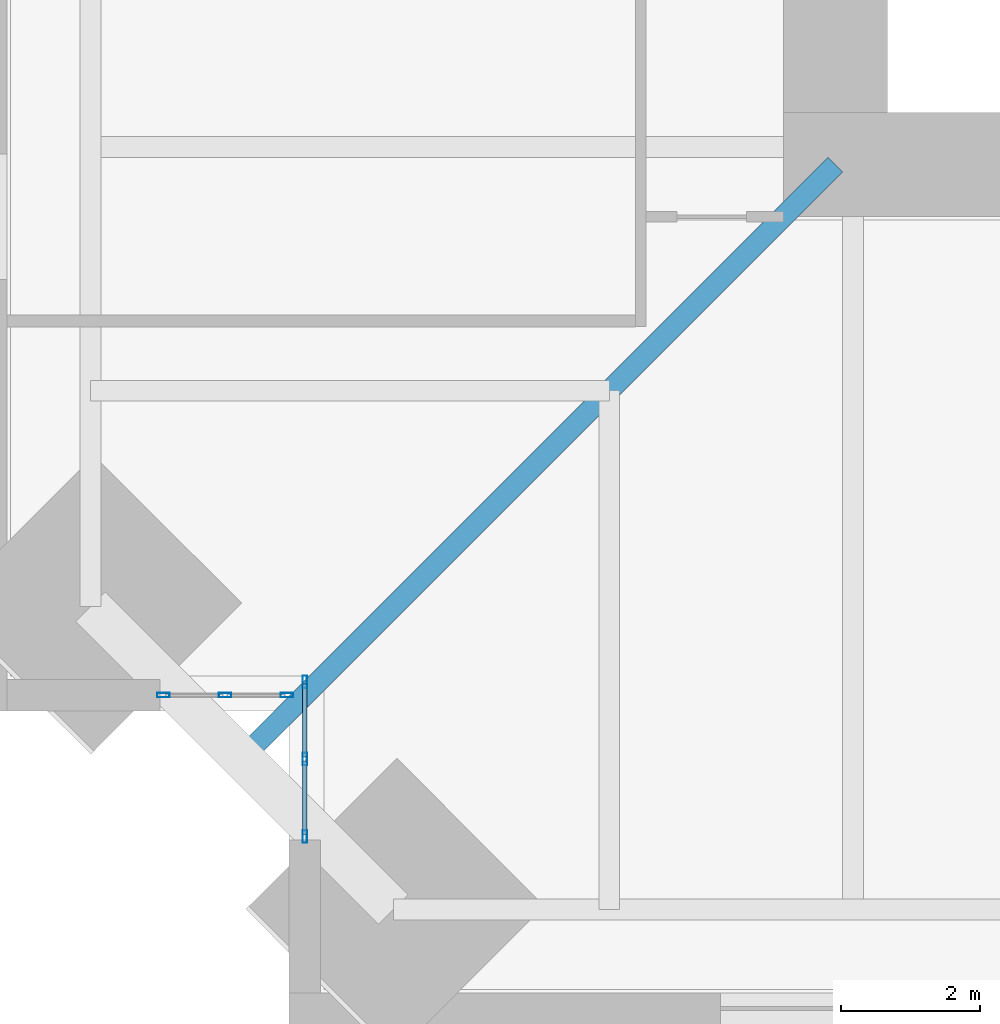
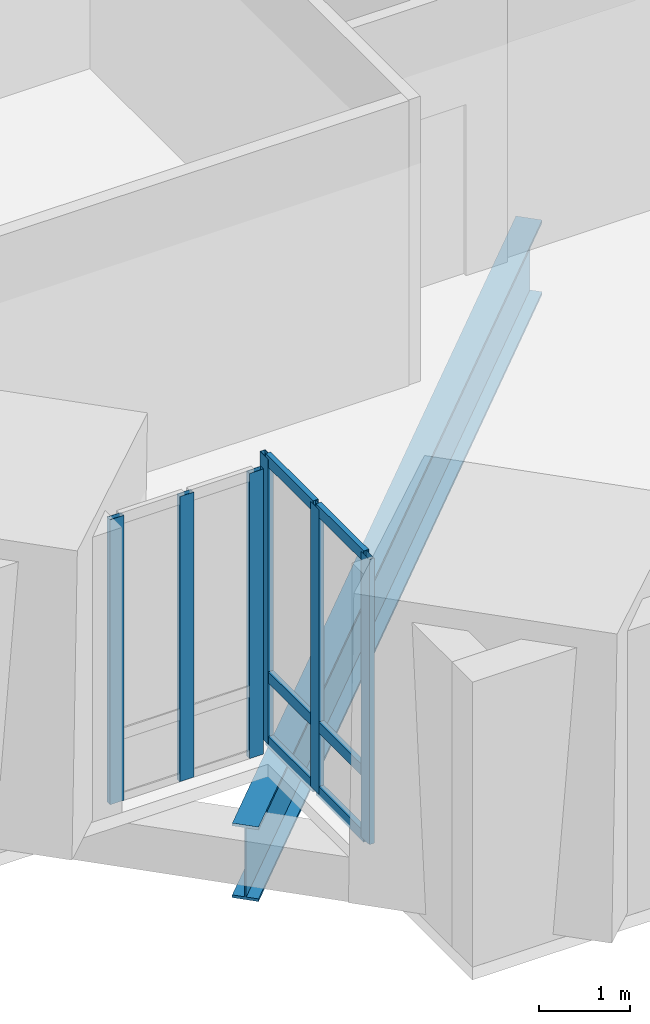
# One storey, part 2 of 14: 12 members, 1 beam, 2 elements without a shape of their own.
"""IFC4 building model written with IfcOpenShell, lengths in metres."""

from ifc_helpers import new_model, si_unit, direction, frame, origin, origin_2d, place, context, subcontext, project, spatial, hollow_rectangle, i_section, extrude, material, material_profile, profile_set, type_object, element, aggregate, save


model = new_model("IFC4")

# Units and contexts
model_context = context("Model", 3, precision=1e-05, world=origin(), true_north=direction((0.0, 1.0)))
body_context = subcontext(model_context, "Body", "Model", "MODEL_VIEW")
ifc_project = project(units=[si_unit("LENGTHUNIT", "METRE"), si_unit("AREAUNIT", "SQUARE_METRE"), si_unit("VOLUMEUNIT", "CUBIC_METRE"), si_unit("PLANEANGLEUNIT", "RADIAN"), si_unit("MASSUNIT", "GRAM", prefix="KILO")], contexts=[model_context])

# Site, building, storey
site_placement = place(None, origin())
site = spatial("IfcSite", under=ifc_project, at=site_placement, CompositionType="ELEMENT")
building_placement = place(site_placement, origin())
building = spatial("IfcBuilding", under=site, at=building_placement, Name="Peilmerk Tower", CompositionType="ELEMENT")
storey_placement = place(building_placement, frame((0.0, 0.0, 221.800048828125)))
storey = spatial("IfcBuildingStorey", under=building, at=storey_placement, Name="L48", CompositionType="ELEMENT", Elevation=221.800048828125)

# Beam
ifc_material_1 = material(Name="Steel S355", Category="steel")
ifc_material_profile_1 = material_profile(ifc_material_1, i_section(OverallWidth=0.300048828125, OverallDepth=1.0, WebThickness=0.01904296875, FlangeThickness=0.035888671875, at=origin_2d()), Name="HEB 1000")
ifc_profile_set_1 = profile_set([ifc_material_profile_1], Name="Steel S355")
beam_type = type_object("IfcBeamType", Name="B5 HEB 1000 floor girder", PredefinedType="BEAM", material=ifc_profile_set_1)
beam_placement = place(storey_placement, frame((-11.25, -11.25, -0.670166015625), z_axis=(-0.707106781187, -0.707106781187, 0.0), x_axis=(0.707106781187, -0.707106781187, 0.0)))
element("IfcBeam", 1, at=beam_placement, inside=storey, type_object=beam_type, Name="Corner girder L48", PredefinedType="BEAM", context=body_context, shape_type="SweptSolid", body=[
    extrude(i_section(OverallWidth=0.300048828125, OverallDepth=1.0, WebThickness=0.01904296875, FlangeThickness=0.035888671875, at=origin_2d()), origin(), (0.0, 0.0, 1.0), 12.060791015625),
])

# Curtain wall, members
ifc_material_2 = material(Name="Aluminium stick curtain wall", Category="aluminium")
curtain_wall_type = type_object("IfcCurtainWallType", Name="CW4 stick curtain wall, 2250 module", PredefinedType="NOTDEFINED", material=ifc_material_2)
curtain_wall_1_placement = place(storey_placement, origin())
curtain_wall_1 = element("IfcCurtainWall", 2, at=curtain_wall_1_placement, inside=storey, type_object=curtain_wall_type, Name="Curtain wall CW4 SWA L48", PredefinedType="NOTDEFINED")
ifc_material_3 = material(Name="Aluminium EN AW-6063 T6", Category="aluminium")
ifc_material_profile_2 = material_profile(ifc_material_3, hollow_rectangle(XDim=0.06494140625, YDim=0.179931640625, WallThickness=0.0029296875, at=origin_2d()), Name="AL 180x65x3")
ifc_profile_set_2 = profile_set([ifc_material_profile_2], Name="Aluminium EN AW-6063 T6")
member_type_1 = type_object("IfcMemberType", Name="CW4-M AL 180x65x3 mullion", PredefinedType="MULLION", material=ifc_profile_set_2)
member_1_placement = place(storey_placement, frame((-18.875, -18.6826171875, 0.0), z_axis=(0.0, 0.0, 1.0), x_axis=(1.0, 0.0, 0.0)))
member_1 = element("IfcMember", 3, at=member_1_placement, type_object=member_type_1, Name="CW4 mullion 1", PredefinedType="MULLION", context=body_context, shape_type="SweptSolid", body=[
    extrude(hollow_rectangle(XDim=0.06494140625, YDim=0.179931640625, WallThickness=0.0029296875, at=origin_2d()), origin(), (0.0, 0.0, 1.0), 3.829833984375),
])
member_2_placement = place(storey_placement, frame((-18.875, -19.79443359375, 0.0), z_axis=(0.0, 0.0, 1.0), x_axis=(1.0, 0.0, 0.0)))
member_2 = element("IfcMember", 4, at=member_2_placement, type_object=member_type_1, Name="CW4 mullion 2", PredefinedType="MULLION", context=body_context, shape_type="SweptSolid", body=[
    extrude(hollow_rectangle(XDim=0.06494140625, YDim=0.179931640625, WallThickness=0.0029296875, at=origin_2d()), origin(), (0.0, 0.0, 1.0), 3.829833984375),
])
member_3_placement = place(storey_placement, frame((-18.875, -20.90625, 0.0), z_axis=(0.0, 0.0, 1.0), x_axis=(1.0, 0.0, 0.0)))
member_3 = element("IfcMember", 5, at=member_3_placement, type_object=member_type_1, Name="CW4 mullion 3", PredefinedType="MULLION", context=body_context, shape_type="SweptSolid", body=[
    extrude(hollow_rectangle(XDim=0.06494140625, YDim=0.179931640625, WallThickness=0.0029296875, at=origin_2d()), origin(), (0.0, 0.0, 1.0), 3.829833984375),
])

curtain_wall_2_placement = place(storey_placement, origin())
curtain_wall_2 = element("IfcCurtainWall", 6, at=curtain_wall_2_placement, inside=storey, type_object=curtain_wall_type, Name="Curtain wall CW4 SWB L48", PredefinedType="NOTDEFINED")
member_4_placement = place(storey_placement, frame((-19.132568359375, -18.875, 0.0), z_axis=(0.0, 0.0, 1.0), x_axis=(0.0, -1.0, 0.0)))
member_4 = element("IfcMember", 7, at=member_4_placement, type_object=member_type_1, Name="CW4 mullion 1", PredefinedType="MULLION", context=body_context, shape_type="SweptSolid", body=[
    extrude(hollow_rectangle(XDim=0.06494140625, YDim=0.179931640625, WallThickness=0.0029296875, at=origin_2d()), origin(), (0.0, 0.0, 1.0), 3.829833984375),
])
member_5_placement = place(storey_placement, frame((-20.019287109375, -18.875, 0.0), z_axis=(0.0, 0.0, 1.0), x_axis=(0.0, -1.0, 0.0)))
member_5 = element("IfcMember", 8, at=member_5_placement, type_object=member_type_1, Name="CW4 mullion 2", PredefinedType="MULLION", context=body_context, shape_type="SweptSolid", body=[
    extrude(hollow_rectangle(XDim=0.06494140625, YDim=0.179931640625, WallThickness=0.0029296875, at=origin_2d()), origin(), (0.0, 0.0, 1.0), 3.829833984375),
])
member_6_placement = place(storey_placement, frame((-20.90625, -18.875, 0.0), z_axis=(0.0, 0.0, 1.0), x_axis=(0.0, -1.0, 0.0)))
member_6 = element("IfcMember", 9, at=member_6_placement, type_object=member_type_1, Name="CW4 mullion 3", PredefinedType="MULLION", context=body_context, shape_type="SweptSolid", body=[
    extrude(hollow_rectangle(XDim=0.06494140625, YDim=0.179931640625, WallThickness=0.0029296875, at=origin_2d()), origin(), (0.0, 0.0, 1.0), 3.829833984375),
])
aggregate(curtain_wall_2, [member_4, member_5, member_6])

# Member
ifc_material_profile_3 = material_profile(ifc_material_3, hollow_rectangle(XDim=0.06494140625, YDim=0.14990234375, WallThickness=0.0029296875, at=origin_2d()), Name="AL 150x65x3")
ifc_profile_set_3 = profile_set([ifc_material_profile_3], Name="Aluminium EN AW-6063 T6")
member_type_2 = type_object("IfcMemberType", Name="CW4-T AL 150x65x3 transom", PredefinedType="USERDEFINED", material=ifc_profile_set_3)
member_7_placement = place(storey_placement, frame((-18.875, -18.715087890625, 0.032470703125), z_axis=(0.0, -1.0, 0.0), x_axis=(1.0, 0.0, 0.0)))
member_7 = element("IfcMember", 10, at=member_7_placement, type_object=member_type_2, Name="CW4 transom 1.1", ObjectType="TRANSOM", PredefinedType="USERDEFINED", context=body_context, shape_type="SweptSolid", body=[
    extrude(hollow_rectangle(XDim=0.06494140625, YDim=0.14990234375, WallThickness=0.0029296875, at=origin_2d()), origin(), (0.0, 0.0, 1.0), 1.046630859375),
])

member_8_placement = place(storey_placement, frame((-18.875, -18.715087890625, 0.89990234375), z_axis=(0.0, -1.0, 0.0), x_axis=(1.0, 0.0, 0.0)))
member_8 = element("IfcMember", 11, at=member_8_placement, type_object=member_type_2, Name="CW4 transom 1.2", ObjectType="TRANSOM", PredefinedType="USERDEFINED", context=body_context, shape_type="SweptSolid", body=[
    extrude(hollow_rectangle(XDim=0.06494140625, YDim=0.14990234375, WallThickness=0.0029296875, at=origin_2d()), origin(), (0.0, 0.0, 1.0), 1.046630859375),
])

member_9_placement = place(storey_placement, frame((-18.875, -18.715087890625, 3.79736328125), z_axis=(0.0, -1.0, 0.0), x_axis=(1.0, 0.0, 0.0)))
member_9 = element("IfcMember", 12, at=member_9_placement, type_object=member_type_2, Name="CW4 transom 1.3", ObjectType="TRANSOM", PredefinedType="USERDEFINED", context=body_context, shape_type="SweptSolid", body=[
    extrude(hollow_rectangle(XDim=0.06494140625, YDim=0.14990234375, WallThickness=0.0029296875, at=origin_2d()), origin(), (0.0, 0.0, 1.0), 1.046630859375),
])

member_10_placement = place(storey_placement, frame((-18.875, -19.826904296875, 0.032470703125), z_axis=(0.0, -1.0, 0.0), x_axis=(1.0, 0.0, 0.0)))
member_10 = element("IfcMember", 13, at=member_10_placement, type_object=member_type_2, Name="CW4 transom 2.1", ObjectType="TRANSOM", PredefinedType="USERDEFINED", context=body_context, shape_type="SweptSolid", body=[
    extrude(hollow_rectangle(XDim=0.06494140625, YDim=0.14990234375, WallThickness=0.0029296875, at=origin_2d()), origin(), (0.0, 0.0, 1.0), 1.046875),
])

member_11_placement = place(storey_placement, frame((-18.875, -19.826904296875, 0.89990234375), z_axis=(0.0, -1.0, 0.0), x_axis=(1.0, 0.0, 0.0)))
member_11 = element("IfcMember", 14, at=member_11_placement, type_object=member_type_2, Name="CW4 transom 2.2", ObjectType="TRANSOM", PredefinedType="USERDEFINED", context=body_context, shape_type="SweptSolid", body=[
    extrude(hollow_rectangle(XDim=0.06494140625, YDim=0.14990234375, WallThickness=0.0029296875, at=origin_2d()), origin(), (0.0, 0.0, 1.0), 1.046875),
])

member_12_placement = place(storey_placement, frame((-18.875, -19.826904296875, 3.79736328125), z_axis=(0.0, -1.0, 0.0), x_axis=(1.0, 0.0, 0.0)))
member_12 = element("IfcMember", 15, at=member_12_placement, type_object=member_type_2, Name="CW4 transom 2.3", ObjectType="TRANSOM", PredefinedType="USERDEFINED", context=body_context, shape_type="SweptSolid", body=[
    extrude(hollow_rectangle(XDim=0.06494140625, YDim=0.14990234375, WallThickness=0.0029296875, at=origin_2d()), origin(), (0.0, 0.0, 1.0), 1.046875),
])

aggregate(curtain_wall_1, [member_1, member_2, member_3, member_7, member_8, member_9, member_10, member_11, member_12])

save(model, "model.ifc")
